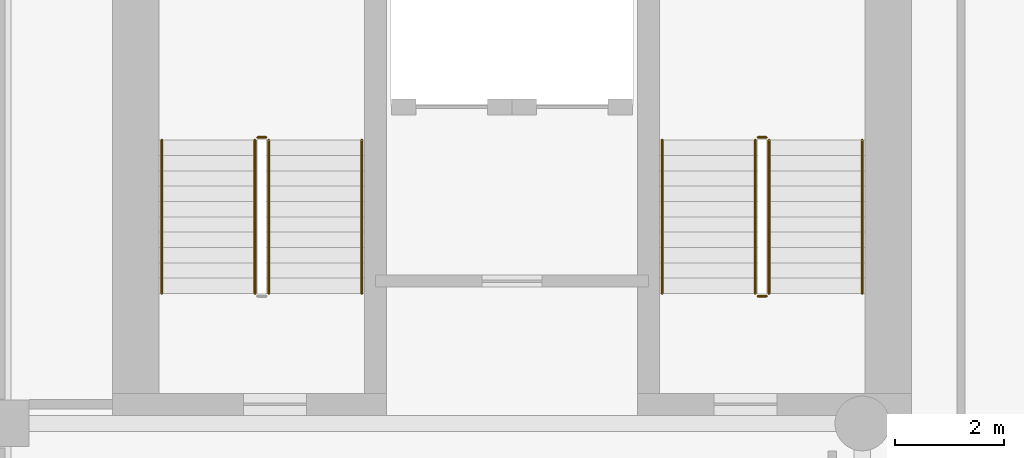
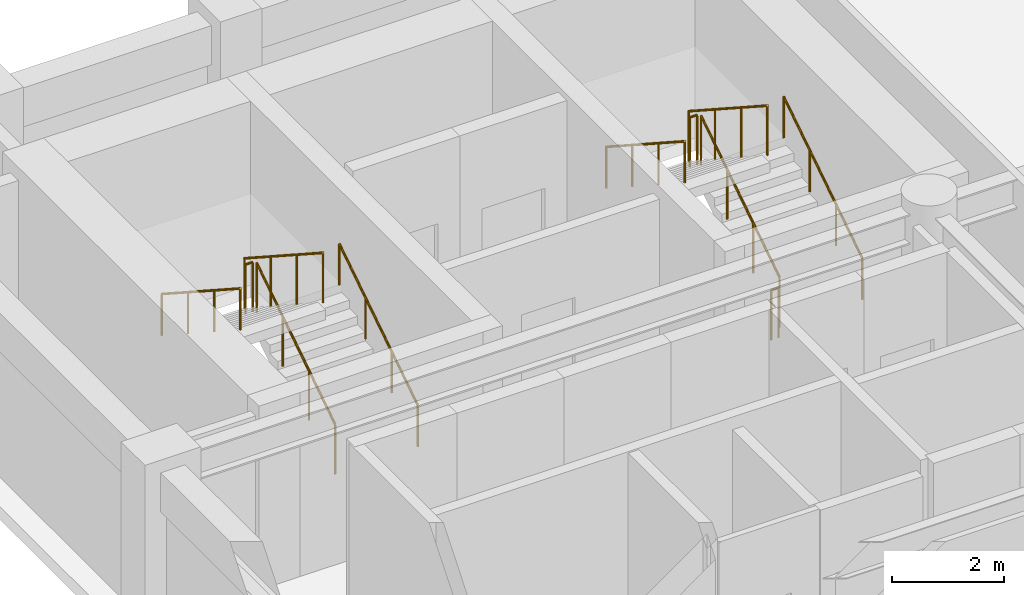
# One storey, part 8 of 9: 11 railings.
"""IFC4 building model written with IfcOpenShell, lengths in metres."""

from ifc_helpers import new_model, si_unit, direction, frame, origin, origin_2d, place, context, subcontext, project, spatial, circle, extrude, material, type_object, element, save


model = new_model("IFC4")

# Units and contexts
model_context = context("Model", 3, precision=1e-05, world=origin(), true_north=direction((0.0, 1.0)))
body_context = subcontext(model_context, "Body", "Model", "MODEL_VIEW")
ifc_project = project(units=[si_unit("LENGTHUNIT", "METRE"), si_unit("AREAUNIT", "SQUARE_METRE"), si_unit("VOLUMEUNIT", "CUBIC_METRE"), si_unit("PLANEANGLEUNIT", "RADIAN"), si_unit("MASSUNIT", "GRAM", prefix="KILO")], contexts=[model_context])

# Site, building, storey
site_placement = place(None, origin())
site = spatial("IfcSite", under=ifc_project, at=site_placement, CompositionType="ELEMENT")
building_placement = place(site_placement, origin())
building = spatial("IfcBuilding", under=site, at=building_placement, Name="Sulina Concourse Tower", CompositionType="ELEMENT")
storey_placement = place(building_placement, frame((0.0, 0.0, 96.60009765625)))
storey = spatial("IfcBuildingStorey", under=building, at=storey_placement, Name="L23", CompositionType="ELEMENT", Elevation=96.60009765625)

# Railings
ifc_material_1 = material(Name="Galvanised steel railing", Category="steel")
railing_type_1 = type_object("IfcRailingType", Name="Core Stair Steel Guardrail 1150mm", PredefinedType="GUARDRAIL", material=ifc_material_1)
railing_1_placement = place(storey_placement, frame((5.554931640625, 36.375, 0.181640625)))
element("IfcRailing", 1, at=railing_1_placement, inside=storey, type_object=railing_type_1, Name="L23 ST-1 stair guard 1", PredefinedType="GUARDRAIL", context=body_context, shape_type="SweptSolid", body=[
    extrude(circle(Radius=0.02392578125, at=origin_2d()), frame((0.0, 0.0, 1.076171875), z_axis=(0.0, 0.838672427954, 0.544636170843), x_axis=(-1.0, 0.0, 0.0)), (0.0, 0.0, 1.0), 3.338623046875),
    extrude(circle(Radius=0.02099609375, at=origin_2d()), origin(), (0.0, 0.0, 1.0), 1.052001953125),
    extrude(circle(Radius=0.02099609375, at=origin_2d()), frame((0.0, 0.933349609375, 0.606201171875)), (0.0, 0.0, 1.0), 1.052001953125),
    extrude(circle(Radius=0.02099609375, at=origin_2d()), frame((0.0, 1.86669921875, 1.212158203125)), (0.0, 0.0, 1.0), 1.052001953125),
    extrude(circle(Radius=0.02099609375, at=origin_2d()), frame((0.0, 2.800048828125, 1.818359375)), (0.0, 0.0, 1.0), 1.052001953125),
])
railing_2_placement = place(storey_placement, frame((5.5048828125, 39.22509765625, 2.0)))
element("IfcRailing", 2, at=railing_2_placement, inside=storey, type_object=railing_type_1, Name="L23 ST-1 stair guard 2", PredefinedType="GUARDRAIL", context=body_context, shape_type="SweptSolid", body=[
    extrude(circle(Radius=0.02392578125, at=origin_2d()), frame((0.0, 0.0, 1.076171875), z_axis=(-1.0, 0.0, 0.0), x_axis=(0.0, -1.0, 0.0)), (0.0, 0.0, 1.0), 0.14990234375),
    extrude(circle(Radius=0.02099609375, at=origin_2d()), origin(), (0.0, 0.0, 1.0), 1.052001953125),
    extrude(circle(Radius=0.02099609375, at=origin_2d()), frame((-0.14990234375, 0.0, 0.0)), (0.0, 0.0, 1.0), 1.052001953125),
])
railing_3_placement = place(storey_placement, frame((5.304931640625, 39.175048828125, 2.181640625)))
element("IfcRailing", 3, at=railing_3_placement, inside=storey, type_object=railing_type_1, Name="L23 ST-1 stair guard 3", PredefinedType="GUARDRAIL", context=body_context, shape_type="SweptSolid", body=[
    extrude(circle(Radius=0.02392578125, at=origin_2d()), frame((0.0, 0.0, 1.076171875), z_axis=(0.0, -0.838672427954, 0.544636170843), x_axis=(1.0, 0.0, 0.0)), (0.0, 0.0, 1.0), 3.338623046875),
    extrude(circle(Radius=0.02099609375, at=origin_2d()), origin(), (0.0, 0.0, 1.0), 1.052001953125),
    extrude(circle(Radius=0.02099609375, at=origin_2d()), frame((0.0, -0.933349609375, 0.606201171875)), (0.0, 0.0, 1.0), 1.052001953125),
    extrude(circle(Radius=0.02099609375, at=origin_2d()), frame((0.0, -1.86669921875, 1.212158203125)), (0.0, 0.0, 1.0), 1.052001953125),
    extrude(circle(Radius=0.02099609375, at=origin_2d()), frame((0.0, -2.800048828125, 1.818359375)), (0.0, 0.0, 1.0), 1.052001953125),
])
railing_4_placement = place(storey_placement, frame((14.695068359375, 36.375, 0.181640625)))
element("IfcRailing", 4, at=railing_4_placement, inside=storey, type_object=railing_type_1, Name="L23 ST-2 stair guard 1", PredefinedType="GUARDRAIL", context=body_context, shape_type="SweptSolid", body=[
    extrude(circle(Radius=0.02392578125, at=origin_2d()), frame((0.0, 0.0, 1.076171875), z_axis=(0.0, 0.838672427954, 0.544636170843), x_axis=(-1.0, 0.0, 0.0)), (0.0, 0.0, 1.0), 3.338623046875),
    extrude(circle(Radius=0.02099609375, at=origin_2d()), origin(), (0.0, 0.0, 1.0), 1.052001953125),
    extrude(circle(Radius=0.02099609375, at=origin_2d()), frame((0.0, 0.933349609375, 0.606201171875)), (0.0, 0.0, 1.0), 1.052001953125),
    extrude(circle(Radius=0.02099609375, at=origin_2d()), frame((0.0, 1.86669921875, 1.212158203125)), (0.0, 0.0, 1.0), 1.052001953125),
    extrude(circle(Radius=0.02099609375, at=origin_2d()), frame((0.0, 2.800048828125, 1.818359375)), (0.0, 0.0, 1.0), 1.052001953125),
])
railing_5_placement = place(storey_placement, frame((14.64501953125, 39.22509765625, 2.0)))
element("IfcRailing", 5, at=railing_5_placement, inside=storey, type_object=railing_type_1, Name="L23 ST-2 stair guard 2", PredefinedType="GUARDRAIL", context=body_context, shape_type="SweptSolid", body=[
    extrude(circle(Radius=0.02392578125, at=origin_2d()), frame((0.0, 0.0, 1.076171875), z_axis=(-1.0, 0.0, 0.0), x_axis=(0.0, -1.0, 0.0)), (0.0, 0.0, 1.0), 0.14990234375),
    extrude(circle(Radius=0.02099609375, at=origin_2d()), origin(), (0.0, 0.0, 1.0), 1.052001953125),
    extrude(circle(Radius=0.02099609375, at=origin_2d()), frame((-0.14990234375, 0.0, 0.0)), (0.0, 0.0, 1.0), 1.052001953125),
])
railing_6_placement = place(storey_placement, frame((14.445068359375, 39.175048828125, 2.181640625)))
element("IfcRailing", 6, at=railing_6_placement, inside=storey, type_object=railing_type_1, Name="L23 ST-2 stair guard 3", PredefinedType="GUARDRAIL", context=body_context, shape_type="SweptSolid", body=[
    extrude(circle(Radius=0.02392578125, at=origin_2d()), frame((0.0, 0.0, 1.076171875), z_axis=(0.0, -0.838672427954, 0.544636170843), x_axis=(1.0, 0.0, 0.0)), (0.0, 0.0, 1.0), 3.338623046875),
    extrude(circle(Radius=0.02099609375, at=origin_2d()), origin(), (0.0, 0.0, 1.0), 1.052001953125),
    extrude(circle(Radius=0.02099609375, at=origin_2d()), frame((0.0, -0.933349609375, 0.606201171875)), (0.0, 0.0, 1.0), 1.052001953125),
    extrude(circle(Radius=0.02099609375, at=origin_2d()), frame((0.0, -1.86669921875, 1.212158203125)), (0.0, 0.0, 1.0), 1.052001953125),
    extrude(circle(Radius=0.02099609375, at=origin_2d()), frame((0.0, -2.800048828125, 1.818359375)), (0.0, 0.0, 1.0), 1.052001953125),
])
railing_7_placement = place(storey_placement, frame((14.64501953125, 36.324951171875, 0.0)))
element("IfcRailing", 7, at=railing_7_placement, inside=storey, type_object=railing_type_1, Name="L23 ST-2 stair guard 4", PredefinedType="GUARDRAIL", context=body_context, shape_type="SweptSolid", body=[
    extrude(circle(Radius=0.02392578125, at=origin_2d()), frame((0.0, 0.0, 1.076171875), z_axis=(-1.0, 0.0, 0.0), x_axis=(0.0, -1.0, 0.0)), (0.0, 0.0, 1.0), 0.14990234375),
    extrude(circle(Radius=0.02099609375, at=origin_2d()), origin(), (0.0, 0.0, 1.0), 1.052001953125),
    extrude(circle(Radius=0.02099609375, at=origin_2d()), frame((-0.14990234375, 0.0, 0.0)), (0.0, 0.0, 1.0), 1.052001953125),
])
ifc_material_2 = material(Name="Galvanised steel railing", Category="steel")
railing_type_2 = type_object("IfcRailingType", Name="Stair Wall Steel Handrail 920mm", PredefinedType="HANDRAIL", material=ifc_material_2)
railing_8_placement = place(storey_placement, frame((7.2548828125, 36.375, 0.181640625)))
element("IfcRailing", 8, at=railing_8_placement, inside=storey, type_object=railing_type_2, Name="L23 ST-1 stair handrail 1", PredefinedType="HANDRAIL", context=body_context, shape_type="SweptSolid", body=[
    extrude(circle(Radius=0.02392578125, at=origin_2d()), frame((0.0, 0.0, 0.89599609375), z_axis=(0.0, 0.838672427954, 0.544636170843), x_axis=(-1.0, 0.0, 0.0)), (0.0, 0.0, 1.0), 3.338623046875),
    extrude(circle(Radius=0.02099609375, at=origin_2d()), origin(), (0.0, 0.0, 1.0), 0.871826171875),
    extrude(circle(Radius=0.02099609375, at=origin_2d()), frame((0.0, 0.933349609375, 0.606201171875)), (0.0, 0.0, 1.0), 0.871826171875),
    extrude(circle(Radius=0.02099609375, at=origin_2d()), frame((0.0, 1.86669921875, 1.212158203125)), (0.0, 0.0, 1.0), 0.871826171875),
    extrude(circle(Radius=0.02099609375, at=origin_2d()), frame((0.0, 2.800048828125, 1.818359375)), (0.0, 0.0, 1.0), 0.871826171875),
])
railing_9_placement = place(storey_placement, frame((3.60498046875, 39.175048828125, 2.181640625)))
element("IfcRailing", 9, at=railing_9_placement, inside=storey, type_object=railing_type_2, Name="L23 ST-1 stair handrail 2", PredefinedType="HANDRAIL", context=body_context, shape_type="SweptSolid", body=[
    extrude(circle(Radius=0.02392578125, at=origin_2d()), frame((0.0, 0.0, 0.89599609375), z_axis=(0.0, -0.838672427954, 0.544636170843), x_axis=(1.0, 0.0, 0.0)), (0.0, 0.0, 1.0), 3.338623046875),
    extrude(circle(Radius=0.02099609375, at=origin_2d()), origin(), (0.0, 0.0, 1.0), 0.871826171875),
    extrude(circle(Radius=0.02099609375, at=origin_2d()), frame((0.0, -0.933349609375, 0.606201171875)), (0.0, 0.0, 1.0), 0.871826171875),
    extrude(circle(Radius=0.02099609375, at=origin_2d()), frame((0.0, -1.86669921875, 1.212158203125)), (0.0, 0.0, 1.0), 0.871826171875),
    extrude(circle(Radius=0.02099609375, at=origin_2d()), frame((0.0, -2.800048828125, 1.818359375)), (0.0, 0.0, 1.0), 0.871826171875),
])
railing_10_placement = place(storey_placement, frame((16.39501953125, 36.375, 0.181640625)))
element("IfcRailing", 10, at=railing_10_placement, inside=storey, type_object=railing_type_2, Name="L23 ST-2 stair handrail 1", PredefinedType="HANDRAIL", context=body_context, shape_type="SweptSolid", body=[
    extrude(circle(Radius=0.02392578125, at=origin_2d()), frame((0.0, 0.0, 0.89599609375), z_axis=(0.0, 0.838672427954, 0.544636170843), x_axis=(-1.0, 0.0, 0.0)), (0.0, 0.0, 1.0), 3.338623046875),
    extrude(circle(Radius=0.02099609375, at=origin_2d()), origin(), (0.0, 0.0, 1.0), 0.871826171875),
    extrude(circle(Radius=0.02099609375, at=origin_2d()), frame((0.0, 0.933349609375, 0.606201171875)), (0.0, 0.0, 1.0), 0.871826171875),
    extrude(circle(Radius=0.02099609375, at=origin_2d()), frame((0.0, 1.86669921875, 1.212158203125)), (0.0, 0.0, 1.0), 0.871826171875),
    extrude(circle(Radius=0.02099609375, at=origin_2d()), frame((0.0, 2.800048828125, 1.818359375)), (0.0, 0.0, 1.0), 0.871826171875),
])
railing_11_placement = place(storey_placement, frame((12.7451171875, 39.175048828125, 2.181640625)))
element("IfcRailing", 11, at=railing_11_placement, inside=storey, type_object=railing_type_2, Name="L23 ST-2 stair handrail 2", PredefinedType="HANDRAIL", context=body_context, shape_type="SweptSolid", body=[
    extrude(circle(Radius=0.02392578125, at=origin_2d()), frame((0.0, 0.0, 0.89599609375), z_axis=(0.0, -0.838672427954, 0.544636170843), x_axis=(1.0, 0.0, 0.0)), (0.0, 0.0, 1.0), 3.338623046875),
    extrude(circle(Radius=0.02099609375, at=origin_2d()), origin(), (0.0, 0.0, 1.0), 0.871826171875),
    extrude(circle(Radius=0.02099609375, at=origin_2d()), frame((0.0, -0.933349609375, 0.606201171875)), (0.0, 0.0, 1.0), 0.871826171875),
    extrude(circle(Radius=0.02099609375, at=origin_2d()), frame((0.0, -1.86669921875, 1.212158203125)), (0.0, 0.0, 1.0), 0.871826171875),
    extrude(circle(Radius=0.02099609375, at=origin_2d()), frame((0.0, -2.800048828125, 1.818359375)), (0.0, 0.0, 1.0), 0.871826171875),
])

save(model, "model.ifc")
